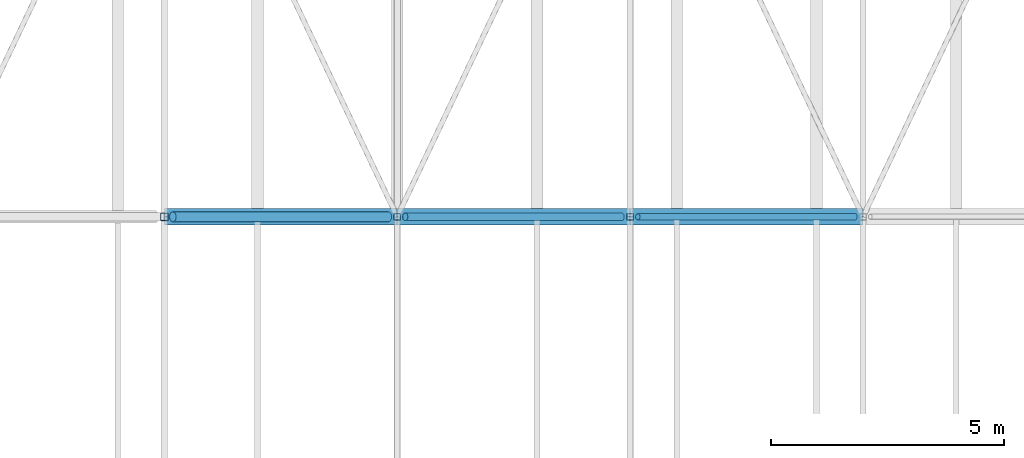
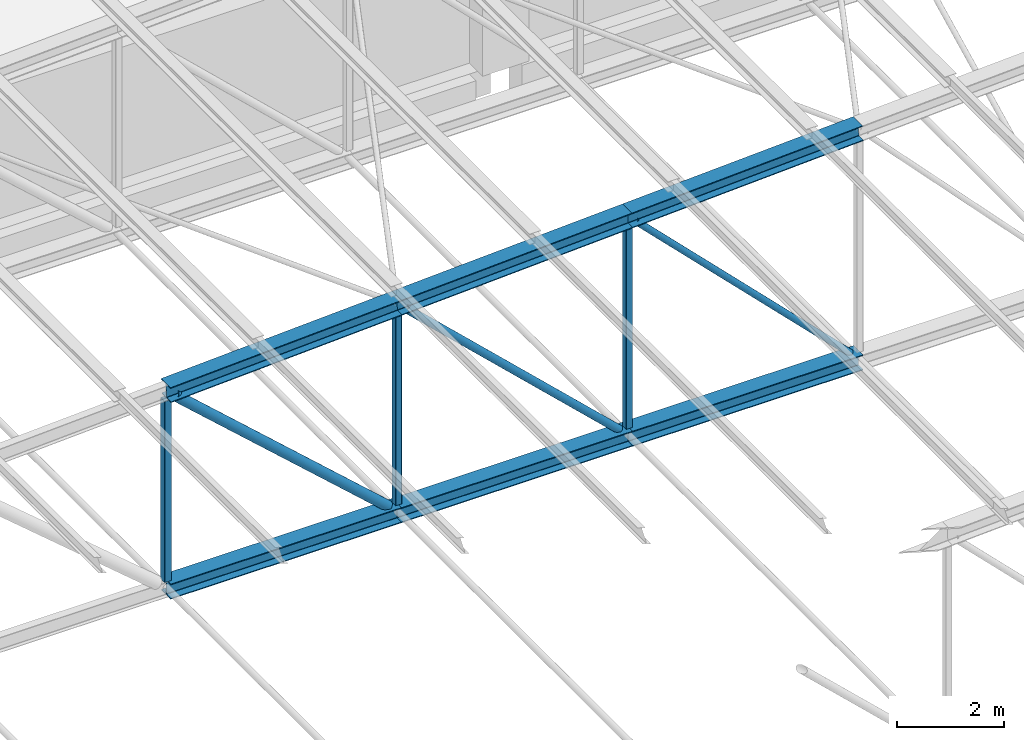
# One storey, part 111 of 156: 12 members.
"""IFC4 building model written with IfcOpenShell, lengths in metres."""

from ifc_helpers import new_model, si_unit, direction, frame, origin, origin_2d, place, context, subcontext, project, spatial, hollow_rectangle, hollow_circle, i_section, extrude, material, material_profile, profile_set, type_object, element, save


model = new_model("IFC4")

# Units and contexts
model_context = context("Model", 3, precision=1e-05, world=origin(), true_north=direction((0.0, 1.0)))
body_context = subcontext(model_context, "Body", "Model", "MODEL_VIEW")
ifc_project = project(units=[si_unit("LENGTHUNIT", "METRE"), si_unit("AREAUNIT", "SQUARE_METRE"), si_unit("VOLUMEUNIT", "CUBIC_METRE"), si_unit("PLANEANGLEUNIT", "RADIAN"), si_unit("MASSUNIT", "GRAM", prefix="KILO")], contexts=[model_context])

# Site, building, storey
site_placement = place(None, origin())
site = spatial("IfcSite", under=ifc_project, at=site_placement, CompositionType="ELEMENT")
building_placement = place(site_placement, origin())
building = spatial("IfcBuilding", under=site, at=building_placement, Name="Lilac Gate Convention Centre", CompositionType="ELEMENT")
storey_placement = place(building_placement, frame((0.0, 0.0, 17.0)))
storey = spatial("IfcBuildingStorey", under=building, at=storey_placement, Name="L03", CompositionType="ELEMENT", Elevation=17.0)

# Members
ifc_material = material(Name="Steel Q355B", Category="steel")
ifc_material_profile_1 = material_profile(ifc_material, i_section(OverallWidth=0.35009765625, OverallDepth=0.35009765625, WebThickness=0.011962890625, FlangeThickness=0.01904296875, FilletRadius=0.012939453125, at=origin_2d()), Name="HW350x350x12x19")
ifc_profile_set_1 = profile_set([ifc_material_profile_1], Name="Steel Q355B")
member_type_1 = type_object("IfcMemberType", Name="Truss bottom chord HW350x350x12x19", PredefinedType="CHORD", material=ifc_profile_set_1)
for number, where, z_axis, x_axis, name in (
    (1, (40.0, 210.0, 0.0), (1.0, 0.0, 0.0), (0.0, 1.0, 0.0), "TB2 truss 16 bottom chord 3"),
    (2, (45.0, 210.0, 0.0), (1.0, 0.0, 0.0), (0.0, 1.0, 0.0), "TB2 truss 16 bottom chord 4"),
):
    element("IfcMember", number, at=place(storey_placement, frame(where, z_axis=z_axis, x_axis=x_axis)), inside=storey, type_object=member_type_1, Name=name, PredefinedType="CHORD", context=body_context, shape_type="SweptSolid", body=[
        extrude(i_section(OverallWidth=0.35009765625, OverallDepth=0.35009765625, WebThickness=0.011962890625, FlangeThickness=0.01904296875, FilletRadius=0.012939453125, at=origin_2d()), origin(), (0.0, 0.0, 1.0), 5.0),
    ])
ifc_material_profile_2 = material_profile(ifc_material, i_section(OverallWidth=0.35693359375, OverallDepth=0.35009765625, WebThickness=0.01904296875, FlangeThickness=0.01904296875, FilletRadius=0.012939453125, at=origin_2d()), Name="HW350x357x19x19")
ifc_profile_set_2 = profile_set([ifc_material_profile_2], Name="Steel Q355B")
member_type_2 = type_object("IfcMemberType", Name="Truss bottom chord HW350x357x19x19", PredefinedType="CHORD", material=ifc_profile_set_2)
member_1_placement = place(storey_placement, frame((50.0, 210.0, 0.0), z_axis=(1.0, 0.0, 0.0), x_axis=(0.0, 1.0, 0.0)))
element("IfcMember", 3, at=member_1_placement, inside=storey, type_object=member_type_2, Name="TB3 truss 16 bottom chord 5", PredefinedType="CHORD", context=body_context, shape_type="SweptSolid", body=[
    extrude(i_section(OverallWidth=0.35693359375, OverallDepth=0.35009765625, WebThickness=0.01904296875, FlangeThickness=0.01904296875, FilletRadius=0.012939453125, at=origin_2d()), origin(), (0.0, 0.0, 1.0), 5.0),
])
ifc_material_profile_3 = material_profile(ifc_material, hollow_circle(Radius=0.06982421875, WallThickness=0.006103515625, at=origin_2d()), Name="CHS139.7x6")
ifc_profile_set_3 = profile_set([ifc_material_profile_3], Name="Steel Q355B")
member_type_3 = type_object("IfcMemberType", Name="Truss diagonal CHS139.7x6", PredefinedType="BRACE", material=ifc_profile_set_3)
member_2_placement = place(storey_placement, frame((50.164306640625, 210.0, 4.835693359375), z_axis=(0.707106781187, 0.0, -0.707106781187), x_axis=(0.0, 1.0, 0.0)))
element("IfcMember", 4, at=member_2_placement, inside=storey, type_object=member_type_3, Name="TW5 truss 16 diagonal 5", PredefinedType="BRACE", context=body_context, shape_type="SweptSolid", body=[
    extrude(hollow_circle(Radius=0.06982421875, WallThickness=0.006103515625, at=origin_2d()), origin(), (0.0, 0.0, 1.0), 6.591064453125),
])
ifc_material_profile_4 = material_profile(ifc_material, hollow_circle(Radius=0.084228515625, WallThickness=0.006103515625, at=origin_2d()), Name="CHS168.3x6")
ifc_profile_set_4 = profile_set([ifc_material_profile_4], Name="Steel Q355B")
member_type_4 = type_object("IfcMemberType", Name="Truss diagonal CHS168.3x6", PredefinedType="BRACE", material=ifc_profile_set_4)
member_3_placement = place(storey_placement, frame((45.1728515625, 210.0, 4.585693359375), z_axis=(0.725020373275, 0.0, -0.688727419475), x_axis=(0.0, 1.0, 0.0)))
element("IfcMember", 5, at=member_3_placement, inside=storey, type_object=member_type_4, Name="TW4 truss 16 diagonal 4", PredefinedType="BRACE", context=body_context, shape_type="SweptSolid", body=[
    extrude(hollow_circle(Radius=0.084228515625, WallThickness=0.006103515625, at=origin_2d()), origin(), (0.0, 0.0, 1.0), 6.404052734375),
])
ifc_material_profile_5 = material_profile(ifc_material, hollow_circle(Radius=0.109619140625, WallThickness=0.008056640625, at=origin_2d()), Name="CHS219.1x8")
ifc_profile_set_5 = profile_set([ifc_material_profile_5], Name="Steel Q355B")
member_type_5 = type_object("IfcMemberType", Name="Truss diagonal CHS219.1x8", PredefinedType="BRACE", material=ifc_profile_set_5)
member_4_placement = place(storey_placement, frame((40.1826171875, 210.0, 4.335693359375), z_axis=(0.743301953498, 0.0, -0.668956056797), x_axis=(0.0, 1.0, 0.0)))
element("IfcMember", 6, at=member_4_placement, inside=storey, type_object=member_type_5, Name="TW3 truss 16 diagonal 3", PredefinedType="BRACE", context=body_context, shape_type="SweptSolid", body=[
    extrude(hollow_circle(Radius=0.109619140625, WallThickness=0.008056640625, at=origin_2d()), origin(), (0.0, 0.0, 1.0), 6.2197265625),
])
ifc_material_profile_6 = material_profile(ifc_material, i_section(OverallWidth=0.35009765625, OverallDepth=0.35009765625, WebThickness=0.011962890625, FlangeThickness=0.01904296875, FilletRadius=0.012939453125, at=origin_2d()), Name="HW350x350x12x19")
ifc_profile_set_6 = profile_set([ifc_material_profile_6], Name="Steel Q355B")
member_type_6 = type_object("IfcMemberType", Name="Truss top chord HW350x350x12x19", PredefinedType="CHORD", material=ifc_profile_set_6)
for number, where, z_axis, x_axis, name in (
    (7, (40.0, 210.0, 4.5), (0.998752338878, 0.0, 0.049937616944), (0.0, 1.0, 0.0), "TT2 truss 16 top chord 3"),
    (8, (45.0, 210.0, 4.75), (0.998752338878, 0.0, 0.049937616944), (0.0, 1.0, 0.0), "TT2 truss 16 top chord 4"),
    (9, (50.0, 210.0, 5.0), (0.998752338878, 0.0, 0.049937616944), (0.0, 1.0, 0.0), "TT2 truss 16 top chord 5"),
):
    element("IfcMember", number, at=place(storey_placement, frame(where, z_axis=z_axis, x_axis=x_axis)), inside=storey, type_object=member_type_6, Name=name, PredefinedType="CHORD", context=body_context, shape_type="SweptSolid", body=[
        extrude(i_section(OverallWidth=0.35009765625, OverallDepth=0.35009765625, WebThickness=0.011962890625, FlangeThickness=0.01904296875, FilletRadius=0.012939453125, at=origin_2d()), origin(), (0.0, 0.0, 1.0), 5.00634765625),
    ])
ifc_material_profile_7 = material_profile(ifc_material, hollow_rectangle(XDim=0.139892578125, YDim=0.139892578125, WallThickness=0.0048828125, InnerFilletRadius=0.0048828125, OuterFilletRadius=0.010009765625, at=origin_2d()), Name="SHS140x140x5")
ifc_profile_set_7 = profile_set([ifc_material_profile_7], Name="Steel Q355B")
member_type_7 = type_object("IfcMemberType", Name="Truss vertical SHS140x140x5", PredefinedType="STRUT", material=ifc_profile_set_7)
member_5_placement = place(storey_placement, frame((45.0, 210.0, 0.175048828125), z_axis=(0.0, 0.0, 1.0), x_axis=(1.0, 0.0, 0.0)))
element("IfcMember", 10, at=member_5_placement, inside=storey, type_object=member_type_7, Name="TV4 truss 16 vertical 4", PredefinedType="STRUT", context=body_context, shape_type="SweptSolid", body=[
    extrude(hollow_rectangle(XDim=0.139892578125, YDim=0.139892578125, WallThickness=0.0048828125, InnerFilletRadius=0.0048828125, OuterFilletRadius=0.010009765625, at=origin_2d()), origin(), (0.0, 0.0, 1.0), 4.399658203125),
])
member_6_placement = place(storey_placement, frame((50.0, 210.0, 0.175048828125), z_axis=(0.0, 0.0, 1.0), x_axis=(1.0, 0.0, 0.0)))
element("IfcMember", 11, at=member_6_placement, inside=storey, type_object=member_type_7, Name="TV4 truss 16 vertical 5", PredefinedType="STRUT", context=body_context, shape_type="SweptSolid", body=[
    extrude(hollow_rectangle(XDim=0.139892578125, YDim=0.139892578125, WallThickness=0.0048828125, InnerFilletRadius=0.0048828125, OuterFilletRadius=0.010009765625, at=origin_2d()), origin(), (0.0, 0.0, 1.0), 4.649658203125),
])
ifc_material_profile_8 = material_profile(ifc_material, hollow_rectangle(XDim=0.159912109375, YDim=0.159912109375, WallThickness=0.006103515625, InnerFilletRadius=0.006103515625, OuterFilletRadius=0.011962890625, at=origin_2d()), Name="SHS160x160x6")
ifc_profile_set_8 = profile_set([ifc_material_profile_8], Name="Steel Q355B")
member_type_8 = type_object("IfcMemberType", Name="Truss vertical SHS160x160x6", PredefinedType="STRUT", material=ifc_profile_set_8)
member_7_placement = place(storey_placement, frame((40.0, 210.0, 0.175048828125), z_axis=(0.0, 0.0, 1.0), x_axis=(1.0, 0.0, 0.0)))
element("IfcMember", 12, at=member_7_placement, inside=storey, type_object=member_type_8, Name="TV3 truss 16 vertical 3", PredefinedType="STRUT", context=body_context, shape_type="SweptSolid", body=[
    extrude(hollow_rectangle(XDim=0.159912109375, YDim=0.159912109375, WallThickness=0.006103515625, InnerFilletRadius=0.006103515625, OuterFilletRadius=0.011962890625, at=origin_2d()), origin(), (0.0, 0.0, 1.0), 4.149658203125),
])

save(model, "model.ifc")
